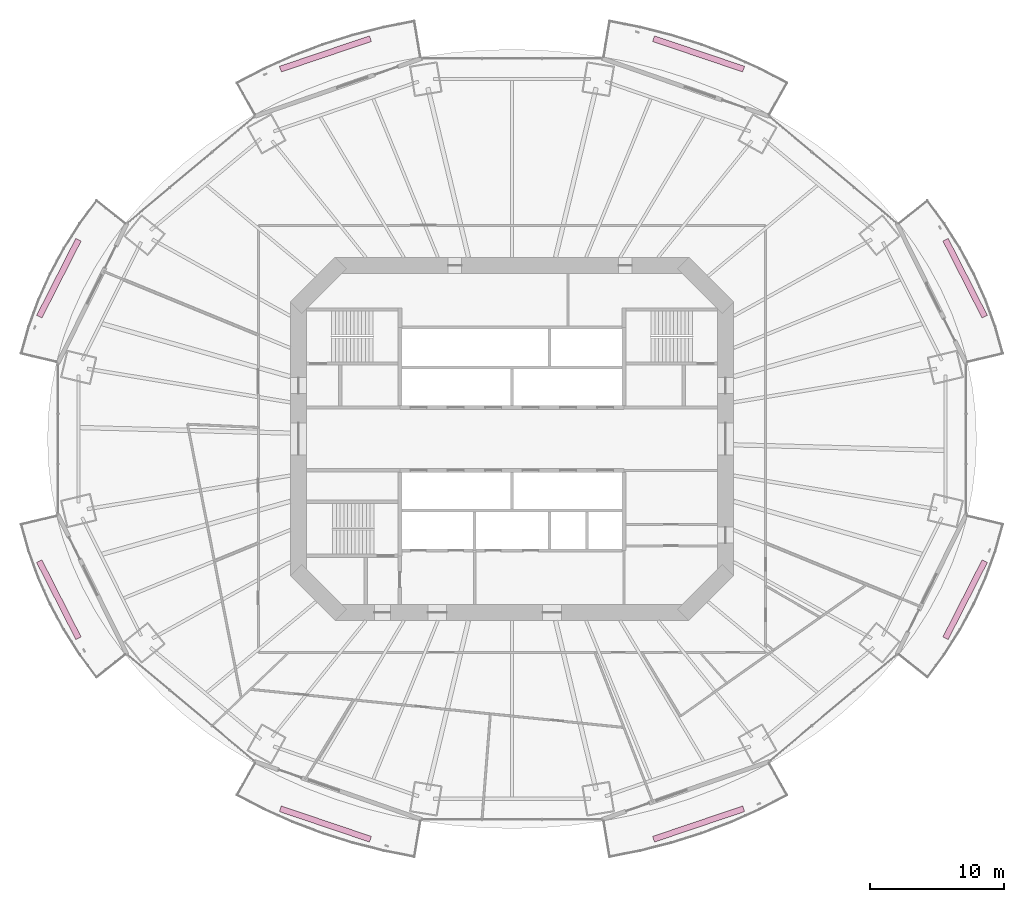
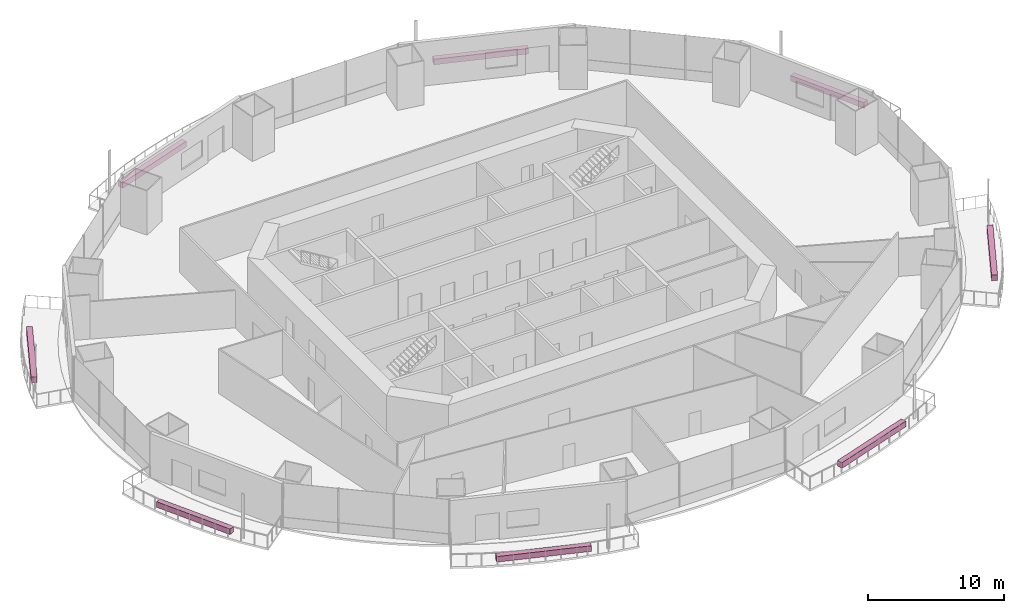
# One storey, part 22 of 22: 8 furnishings.
"""IFC4 building model written with IfcOpenShell, lengths in metres."""

from ifc_helpers import new_model, si_unit, direction, frame, origin, origin_2d, place, context, subcontext, project, spatial, rectangle, extrude, material, type_object, element, save


model = new_model("IFC4")

# Units and contexts
model_context = context("Model", 3, precision=1e-05, world=origin(), true_north=direction((0.0, 1.0)))
body_context = subcontext(model_context, "Body", "Model", "MODEL_VIEW")
ifc_project = project(units=[si_unit("LENGTHUNIT", "METRE"), si_unit("AREAUNIT", "SQUARE_METRE"), si_unit("VOLUMEUNIT", "CUBIC_METRE"), si_unit("PLANEANGLEUNIT", "RADIAN"), si_unit("MASSUNIT", "GRAM", prefix="KILO")], contexts=[model_context])

# Site, building, storey
site_placement = place(None, origin())
site = spatial("IfcSite", under=ifc_project, at=site_placement, CompositionType="ELEMENT")
building_placement = place(site_placement, origin())
building = spatial("IfcBuilding", under=site, at=building_placement, Name="Marenthal Gate Tower", CompositionType="ELEMENT")
storey_placement = place(building_placement, frame((0.0, 0.0, 95.25)))
storey = spatial("IfcBuildingStorey", under=building, at=storey_placement, Name="L19", CompositionType="ELEMENT", Elevation=95.25)

# Furnishings
ifc_material = material(Name="Planting soil and foliage", Category="planting")
furnishing_element_type = type_object("IfcFurnishingElementType", Name="Balcony PLANTER trough", material=ifc_material)
furnishing_1_placement = place(storey_placement, frame((33.932861328125, 12.038818359375, -0.0400390625), z_axis=(0.0, 0.0, 1.0), x_axis=(-0.453646324581, 0.891181806476, 0.0)))
element("IfcFurnishingElement", 1, at=furnishing_1_placement, inside=storey, type_object=furnishing_element_type, Name="Balcony PLANTER L19 bay 1", ObjectType="PLANTER", context=body_context, shape_type="SweptSolid", body=[
    extrude(rectangle(XDim=6.4755859375, YDim=0.449951171875, at=origin_2d()), origin(), (0.0, 0.0, 1.0), 0.5),
])
for number, where, z_axis, x_axis, name in (
    (2, (13.9736328125, 28.834716796875, -0.0400390625), (0.0, 0.0, 1.0), (-0.947306804178, 0.320327674043, 0.0), "Balcony PLANTER L19 bay 3"),
    (3, (-13.9736328125, 28.834716796875, -0.0400390625), (0.0, 0.0, 1.0), (-0.947306804178, -0.320327674043, 0.0), "Balcony PLANTER L19 bay 5"),
):
    element("IfcFurnishingElement", number, at=place(storey_placement, frame(where, z_axis=z_axis, x_axis=x_axis)), inside=storey, type_object=furnishing_element_type, Name=name, ObjectType="PLANTER", context=body_context, shape_type="SweptSolid", body=[
        extrude(rectangle(XDim=7.118896484375, YDim=0.449951171875, at=origin_2d()), origin(), (0.0, 0.0, 1.0), 0.5),
    ])
for number, where, z_axis, x_axis, name in (
    (4, (-33.932861328125, 12.038818359375, -0.0400390625), (0.0, 0.0, 1.0), (-0.453646324581, -0.891181806476, 0.0), "Balcony PLANTER L19 bay 7"),
    (5, (-33.932861328125, -12.038818359375, -0.0400390625), (0.0, 0.0, 1.0), (0.453646324581, -0.891181806476, 0.0), "Balcony PLANTER L19 bay 9"),
):
    element("IfcFurnishingElement", number, at=place(storey_placement, frame(where, z_axis=z_axis, x_axis=x_axis)), inside=storey, type_object=furnishing_element_type, Name=name, ObjectType="PLANTER", context=body_context, shape_type="SweptSolid", body=[
        extrude(rectangle(XDim=6.4755859375, YDim=0.449951171875, at=origin_2d()), origin(), (0.0, 0.0, 1.0), 0.5),
    ])
for number, where, z_axis, x_axis, name in (
    (6, (-13.9736328125, -28.834716796875, -0.0400390625), (0.0, 0.0, 1.0), (0.947306804178, -0.320327674043, 0.0), "Balcony PLANTER L19 bay 11"),
    (7, (13.9736328125, -28.834716796875, -0.0400390625), (0.0, 0.0, 1.0), (0.947306804178, 0.320327674043, 0.0), "Balcony PLANTER L19 bay 13"),
):
    element("IfcFurnishingElement", number, at=place(storey_placement, frame(where, z_axis=z_axis, x_axis=x_axis)), inside=storey, type_object=furnishing_element_type, Name=name, ObjectType="PLANTER", context=body_context, shape_type="SweptSolid", body=[
        extrude(rectangle(XDim=7.118896484375, YDim=0.449951171875, at=origin_2d()), origin(), (0.0, 0.0, 1.0), 0.5),
    ])
furnishing_2_placement = place(storey_placement, frame((33.932861328125, -12.038818359375, -0.0400390625), z_axis=(0.0, 0.0, 1.0), x_axis=(0.453646324581, 0.891181806476, 0.0)))
element("IfcFurnishingElement", 8, at=furnishing_2_placement, inside=storey, type_object=furnishing_element_type, Name="Balcony PLANTER L19 bay 15", ObjectType="PLANTER", context=body_context, shape_type="SweptSolid", body=[
    extrude(rectangle(XDim=6.4755859375, YDim=0.449951171875, at=origin_2d()), origin(), (0.0, 0.0, 1.0), 0.5),
])

save(model, "model.ifc")
